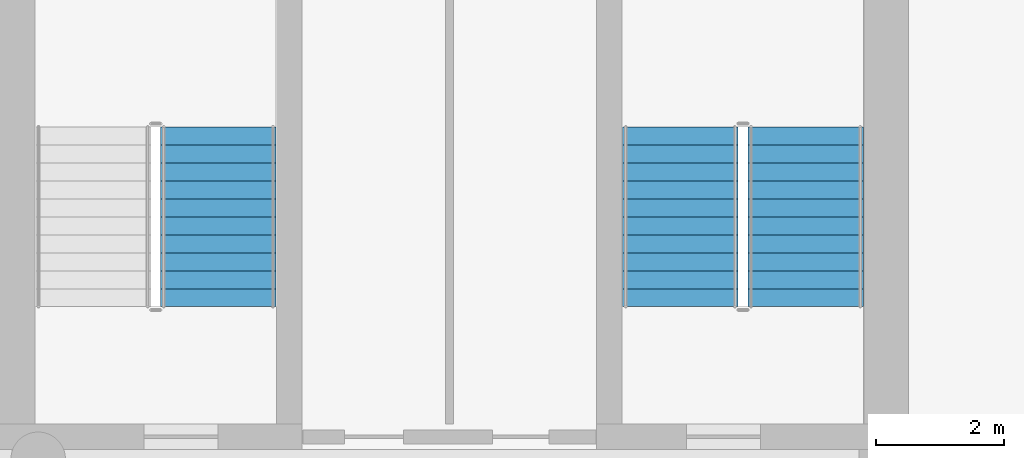
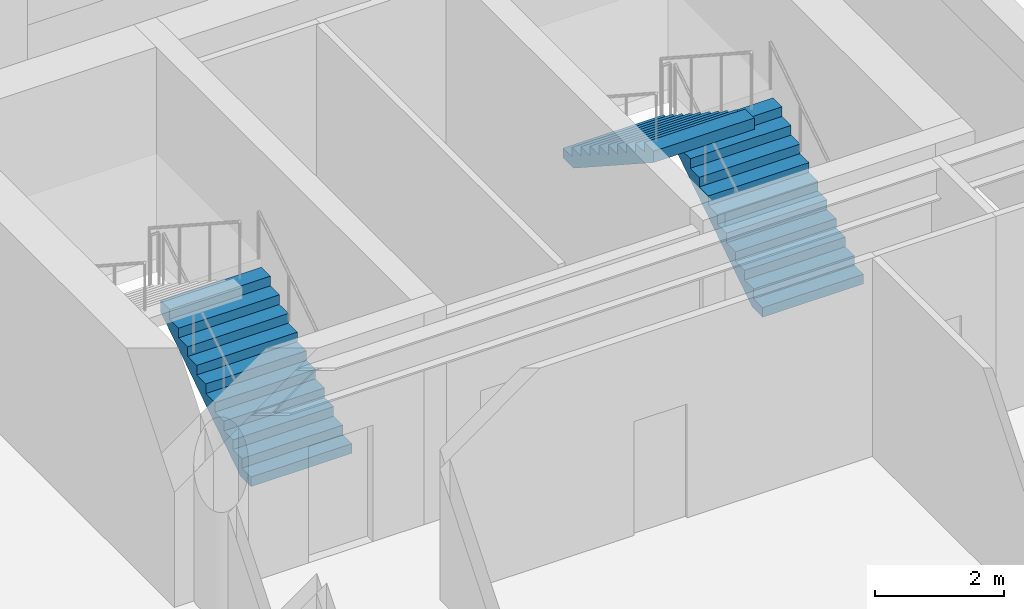
# One storey, part 6 of 8: 3 stair flights, 2 elements without a shape of their own.
"""IFC4 building model written with IfcOpenShell, lengths in metres."""

from ifc_helpers import new_model, si_unit, direction, frame, origin, place, context, subcontext, project, spatial, polyline, outline, extrude, material, type_object, element, aggregate, save


model = new_model("IFC4")

# Units and contexts
model_context = context("Model", 3, precision=1e-05, world=origin(), true_north=direction((0.0, 1.0)))
body_context = subcontext(model_context, "Body", "Model", "MODEL_VIEW")
ifc_project = project(units=[si_unit("LENGTHUNIT", "METRE"), si_unit("AREAUNIT", "SQUARE_METRE"), si_unit("VOLUMEUNIT", "CUBIC_METRE"), si_unit("PLANEANGLEUNIT", "RADIAN"), si_unit("MASSUNIT", "GRAM", prefix="KILO")], contexts=[model_context])

# Site, building, storey
site_placement = place(None, origin())
site = spatial("IfcSite", under=ifc_project, at=site_placement, CompositionType="ELEMENT")
building_placement = place(site_placement, origin())
building = spatial("IfcBuilding", under=site, at=building_placement, Name="Sulina Concourse Tower", CompositionType="ELEMENT")
storey_placement = place(building_placement, frame((0.0, 0.0, 186.60009765625)))
storey = spatial("IfcBuildingStorey", under=building, at=storey_placement, Name="L45", CompositionType="ELEMENT", Elevation=186.60009765625)

# Stair, stair flight
ifc_material_1 = material(Name="Concrete C50/60", Category="concrete")
stair_type = type_object("IfcStairType", Name="Portal & Podium Core Exit Stair 1820mm", PredefinedType="HALF_TURN_STAIR", material=ifc_material_1)
stair_1_placement = place(storey_placement, origin())
stair_1 = element("IfcStair", 1, at=stair_1_placement, inside=storey, type_object=stair_type, Name="L45 ST-3", PredefinedType="HALF_TURN_STAIR")
ifc_material_2 = material(Name="Concrete C50/60", Category="concrete")
stair_flight_type = type_object("IfcStairFlightType", Name="Portal & Podium Core Exit Stair 1820mm Flight", PredefinedType="STRAIGHT", material=ifc_material_2)
stair_flight_1_placement = place(storey_placement, frame((44.405029296875, 36.375, 0.0), z_axis=(0.0, 0.0, 1.0), x_axis=(0.0, 1.0, 0.0)))
stair_flight_1 = element("IfcStairFlight", 2, at=stair_flight_1_placement, type_object=stair_flight_type, Name="ST-3 flight 1", NumberOfRisers=11, NumberOfTreads=10, PredefinedType="STRAIGHT", RiserHeight=0.181818182, TreadLength=0.28, context=body_context, shape_type="SweptSolid", body=[
    extrude(outline(polyline([(0.0, 0.0), (0.0, 0.181884765625), (0.280029296875, 0.181884765625), (0.280029296875, 0.363525390625), (0.56005859375, 0.363525390625), (0.56005859375, 0.54541015625), (0.840087890625, 0.54541015625), (0.840087890625, 0.727294921875), (1.1201171875, 0.727294921875), (1.1201171875, 0.9091796875), (1.39990234375, 0.9091796875), (1.39990234375, 1.0908203125), (1.679931640625, 1.0908203125), (1.679931640625, 1.272705078125), (1.9599609375, 1.272705078125), (1.9599609375, 1.45458984375), (2.239990234375, 1.45458984375), (2.239990234375, 1.636474609375), (2.52001953125, 1.636474609375), (2.52001953125, 1.818115234375), (2.800048828125, 1.818115234375), (2.800048828125, 2.0), (2.800048828125, 1.603759765625), (0.330322265625, 0.0), (0.0, 0.0)])), frame((0.0, 0.89990234375, 0.0), z_axis=(0.0, -1.0, 0.0), x_axis=(1.0, 0.0, 0.0)), (0.0, 0.0, 1.0), 1.800048828125),
])
aggregate(stair_1, [stair_flight_1])

# Stair, stair flights
stair_2_placement = place(storey_placement, origin())
stair_2 = element("IfcStair", 3, at=stair_2_placement, inside=storey, type_object=stair_type, Name="L45 ST-4", PredefinedType="HALF_TURN_STAIR")
stair_flight_2_placement = place(storey_placement, frame((53.544921875, 36.375, 0.0), z_axis=(0.0, 0.0, 1.0), x_axis=(0.0, 1.0, 0.0)))
stair_flight_2 = element("IfcStairFlight", 4, at=stair_flight_2_placement, type_object=stair_flight_type, Name="ST-4 flight 1", NumberOfRisers=11, NumberOfTreads=10, PredefinedType="STRAIGHT", RiserHeight=0.181818182, TreadLength=0.28, context=body_context, shape_type="SweptSolid", body=[
    extrude(outline(polyline([(0.0, 0.0), (0.0, 0.181884765625), (0.280029296875, 0.181884765625), (0.280029296875, 0.363525390625), (0.56005859375, 0.363525390625), (0.56005859375, 0.54541015625), (0.840087890625, 0.54541015625), (0.840087890625, 0.727294921875), (1.1201171875, 0.727294921875), (1.1201171875, 0.9091796875), (1.39990234375, 0.9091796875), (1.39990234375, 1.0908203125), (1.679931640625, 1.0908203125), (1.679931640625, 1.272705078125), (1.9599609375, 1.272705078125), (1.9599609375, 1.45458984375), (2.239990234375, 1.45458984375), (2.239990234375, 1.636474609375), (2.52001953125, 1.636474609375), (2.52001953125, 1.818115234375), (2.800048828125, 1.818115234375), (2.800048828125, 2.0), (2.800048828125, 1.603759765625), (0.330322265625, 0.0), (0.0, 0.0)])), frame((0.0, 0.89990234375, 0.0), z_axis=(0.0, -1.0, 0.0), x_axis=(1.0, 0.0, 0.0)), (0.0, 0.0, 1.0), 1.800048828125),
])
stair_flight_3_placement = place(storey_placement, frame((51.594970703125, 39.175048828125, 2.0), z_axis=(0.0, 0.0, 1.0), x_axis=(0.0, -1.0, 0.0)))
stair_flight_3 = element("IfcStairFlight", 5, at=stair_flight_3_placement, type_object=stair_flight_type, Name="ST-4 flight 2", NumberOfRisers=11, NumberOfTreads=10, PredefinedType="STRAIGHT", RiserHeight=0.181818182, TreadLength=0.28, context=body_context, shape_type="SweptSolid", body=[
    extrude(outline(polyline([(0.0, 0.0), (0.0, 0.181884765625), (0.280029296875, 0.181884765625), (0.280029296875, 0.363525390625), (0.56005859375, 0.363525390625), (0.56005859375, 0.54541015625), (0.840087890625, 0.54541015625), (0.840087890625, 0.727294921875), (1.1201171875, 0.727294921875), (1.1201171875, 0.9091796875), (1.39990234375, 0.9091796875), (1.39990234375, 1.0908203125), (1.679931640625, 1.0908203125), (1.679931640625, 1.272705078125), (1.9599609375, 1.272705078125), (1.9599609375, 1.45458984375), (2.239990234375, 1.45458984375), (2.239990234375, 1.636474609375), (2.52001953125, 1.636474609375), (2.52001953125, 1.818115234375), (2.800048828125, 1.818115234375), (2.800048828125, 2.0), (2.800048828125, 1.603759765625), (0.330322265625, 0.0), (0.0, 0.0)])), frame((0.0, 0.89990234375, 0.0), z_axis=(0.0, -1.0, 0.0), x_axis=(1.0, 0.0, 0.0)), (0.0, 0.0, 1.0), 1.800048828125),
])
aggregate(stair_2, [stair_flight_2, stair_flight_3])

save(model, "model.ifc")
